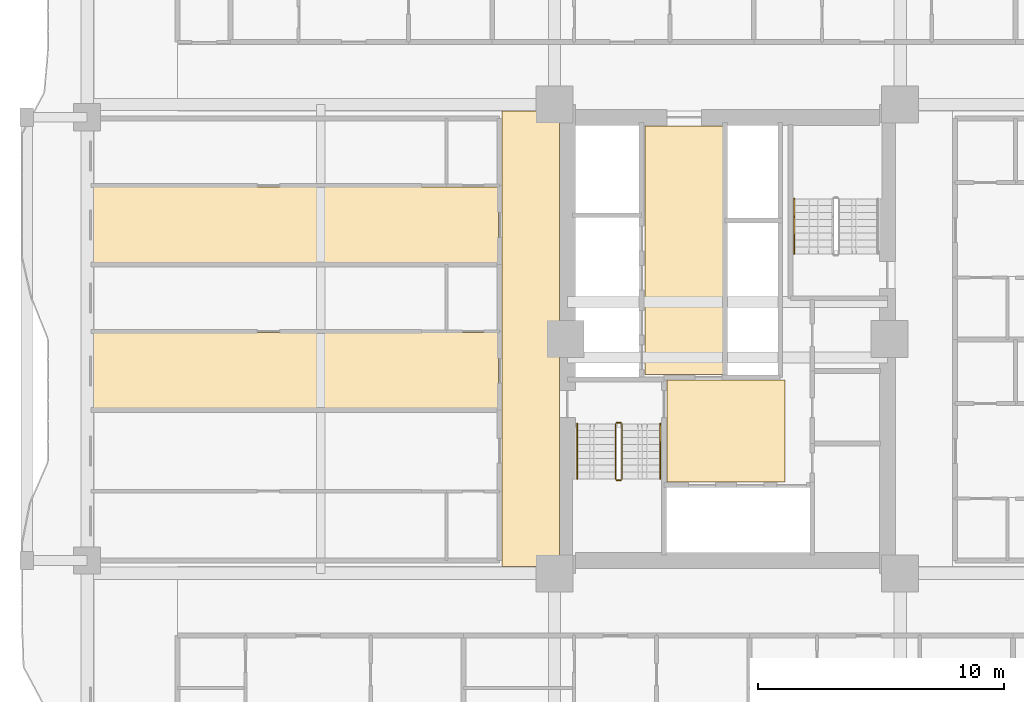
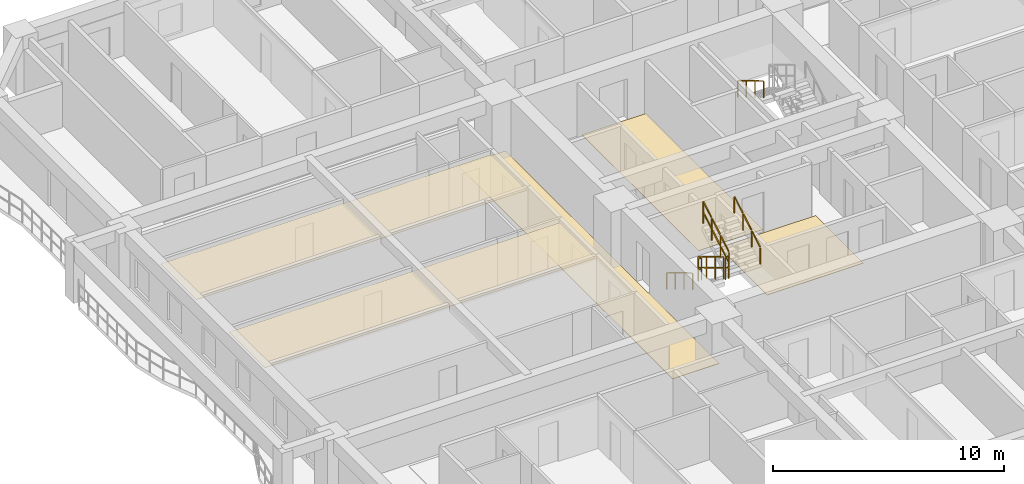
# One storey, part 13 of 16: 7 railings, 5 coverings.
"""IFC4 building model written with IfcOpenShell, lengths in metres."""

from ifc_helpers import new_model, si_unit, direction, frame, origin, origin_2d, place, context, subcontext, project, spatial, polyline, rectangle, outline, extrude, material, layer, layer_set, type_object, element, save


model = new_model("IFC4")

# Units and contexts
model_context = context("Model", 3, precision=1e-05, world=origin(), true_north=direction((0.0, 1.0)))
body_context = subcontext(model_context, "Body", "Model", "MODEL_VIEW")
ifc_project = project(units=[si_unit("LENGTHUNIT", "METRE"), si_unit("AREAUNIT", "SQUARE_METRE"), si_unit("VOLUMEUNIT", "CUBIC_METRE"), si_unit("PLANEANGLEUNIT", "RADIAN"), si_unit("MASSUNIT", "GRAM", prefix="KILO")], contexts=[model_context])

# Site, building, storey
site_placement = place(None, origin())
site = spatial("IfcSite", under=ifc_project, at=site_placement, CompositionType="ELEMENT")
building_placement = place(site_placement, origin())
building = spatial("IfcBuilding", under=site, at=building_placement, Name="Saelheon Loggia Tower", CompositionType="ELEMENT")
storey_placement = place(building_placement, frame((0.0, 0.0, 31.39990234375)))
storey = spatial("IfcBuildingStorey", under=building, at=storey_placement, Name="L09", CompositionType="ELEMENT", Elevation=31.39990234375)

# Coverings
ifc_material_1 = material(Name="Mineral-Fibre Acoustic Ceiling Board", Category="gypsum")
ifc_layer_1 = layer(ifc_material_1, 0.02490234375)
ifc_layer_set_1 = layer_set([ifc_layer_1], Name="Mineral-Fibre Acoustic Ceiling Board")
covering_type_1 = type_object("IfcCoveringType", Name="Cov_Ceiling_Acoustic", PredefinedType="CEILING", material=ifc_layer_set_1)
covering_1_placement = place(storey_placement, frame((0.0, 0.0, 2.53515625)))
element("IfcCovering", 1, at=covering_1_placement, inside=storey, type_object=covering_type_1, Name="L09 Acoustic Suspended Ceiling", PredefinedType="CEILING", context=body_context, shape_type="SweptSolid", body=[
    extrude(outline(polyline([(12.199951171875, 24.153076171875), (28.699951171875, 24.153076171875), (28.699951171875, 27.251708984375), (12.199951171875, 27.251708984375), (12.199951171875, 24.153076171875)])), origin(), (0.0, 0.0, 1.0), 0.02490234375),
])
covering_2_placement = place(storey_placement, frame((0.0, 0.0, 2.53515625)))
element("IfcCovering", 2, at=covering_2_placement, inside=storey, type_object=covering_type_1, Name="L09 Acoustic Suspended Ceiling", PredefinedType="CEILING", context=body_context, shape_type="SweptSolid", body=[
    extrude(outline(polyline([(12.199951171875, 30.076416015625), (28.699951171875, 30.076416015625), (28.699951171875, 33.17529296875), (12.199951171875, 33.17529296875), (12.199951171875, 30.076416015625)])), origin(), (0.0, 0.0, 1.0), 0.02490234375),
])
ifc_material_2 = material(Name="Vitrified Porcelain Floor Tile", Category="ceramic")
ifc_layer_2 = layer(ifc_material_2, 0.02001953125)
ifc_layer_set_2 = layer_set([ifc_layer_2], Name="Vitrified Porcelain Floor Tile")
covering_type_2 = type_object("IfcCoveringType", Name="Cov_Floor_Porcelain", PredefinedType="FLOORING", material=ifc_layer_set_2)
covering_3_placement = place(storey_placement, origin())
element("IfcCovering", 3, at=covering_3_placement, inside=storey, type_object=covering_type_2, Name="L09 Corridor Porcelain Flooring", PredefinedType="FLOORING", context=body_context, shape_type="SweptSolid", body=[
    extrude(outline(polyline([(35.550048828125, 21.179931640625), (40.35009765625, 21.179931640625), (40.35009765625, 25.320068359375), (35.550048828125, 25.320068359375), (35.550048828125, 21.179931640625)])), origin(), (0.0, 0.0, 1.0), 0.02001953125),
])
covering_4_placement = place(storey_placement, origin())
element("IfcCovering", 4, at=covering_4_placement, inside=storey, type_object=covering_type_2, Name="L09 Corridor Porcelain Flooring", PredefinedType="FLOORING", context=body_context, shape_type="SweptSolid", body=[
    extrude(outline(polyline([(34.64990234375, 25.550048828125), (37.85009765625, 25.550048828125), (37.85009765625, 35.64990234375), (34.64990234375, 35.64990234375), (34.64990234375, 25.550048828125)])), origin(), (0.0, 0.0, 1.0), 0.02001953125),
])
covering_5_placement = place(storey_placement, origin())
element("IfcCovering", 5, at=covering_5_placement, inside=storey, type_object=covering_type_2, Name="L09 Corridor Porcelain Flooring", PredefinedType="FLOORING", context=body_context, shape_type="SweptSolid", body=[
    extrude(outline(polyline([(28.85009765625, 17.75), (31.179931640625, 17.75), (31.179931640625, 36.25), (28.85009765625, 36.25), (28.85009765625, 17.75)])), origin(), (0.0, 0.0, 1.0), 0.02001953125),
])

# Railings
ifc_material_3 = material(Name="Galvanised Steel S275 Stairwell Guardrail", Category="steel")
railing_type_1 = type_object("IfcRailingType", Name="Guard_StairWell_RL_STG", PredefinedType="GUARDRAIL", material=ifc_material_3)
railing_1_placement = place(storey_placement, frame((33.4599609375, 23.550048828125, 0.166748046875)))
element("IfcRailing", 6, at=railing_1_placement, inside=storey, type_object=railing_type_1, Name="L09 ST1 stair guard 1", PredefinedType="GUARDRAIL", context=body_context, shape_type="SweptSolid", body=[
    extrude(rectangle(XDim=0.048095703125, YDim=0.048095703125, at=origin_2d()), frame((0.0, -0.028564453125, 1.19287109375), z_axis=(0.0, -0.859305625298, 0.511462454469), x_axis=(1.0, 0.0, 0.0)), (0.0, 0.0, 1.0), 0.802490234375),
    extrude(rectangle(XDim=0.048095703125, YDim=0.048095703125, at=origin_2d()), frame((0.0, -0.028564453125, 0.616943359375), z_axis=(0.0, -0.859305625298, 0.511462454469), x_axis=(1.0, 0.0, 0.0)), (0.0, 0.0, 1.0), 0.802490234375),
    extrude(rectangle(XDim=0.048095703125, YDim=0.048095703125, at=origin_2d()), frame((0.0, -0.775146484375, 1.63720703125), z_axis=(0.0, -0.859305625298, 0.511462454469), x_axis=(1.0, 0.0, 0.0)), (0.0, 0.0, 1.0), 0.802490234375),
    extrude(rectangle(XDim=0.048095703125, YDim=0.048095703125, at=origin_2d()), frame((0.0, -0.775146484375, 1.061279296875), z_axis=(0.0, -0.859305625298, 0.511462454469), x_axis=(1.0, 0.0, 0.0)), (0.0, 0.0, 1.0), 0.802490234375),
    extrude(rectangle(XDim=0.048095703125, YDim=0.048095703125, at=origin_2d()), frame((0.0, -1.52197265625, 2.081787109375), z_axis=(0.0, -0.859305625298, 0.511462454469), x_axis=(1.0, 0.0, 0.0)), (0.0, 0.0, 1.0), 0.802490234375),
    extrude(rectangle(XDim=0.048095703125, YDim=0.048095703125, at=origin_2d()), frame((0.0, -1.52197265625, 1.505859375), z_axis=(0.0, -0.859305625298, 0.511462454469), x_axis=(1.0, 0.0, 0.0)), (0.0, 0.0, 1.0), 0.802490234375),
    extrude(rectangle(XDim=0.0419921875, YDim=0.0419921875, at=origin_2d()), origin(), (0.0, 0.0, 1.0), 1.14794921875),
    extrude(rectangle(XDim=0.0419921875, YDim=0.0419921875, at=origin_2d()), frame((0.0, -0.74658203125, 0.4443359375)), (0.0, 0.0, 1.0), 1.14794921875),
    extrude(rectangle(XDim=0.0419921875, YDim=0.0419921875, at=origin_2d()), frame((0.0, -1.493408203125, 0.888916015625)), (0.0, 0.0, 1.0), 1.14794921875),
    extrude(rectangle(XDim=0.0419921875, YDim=0.0419921875, at=origin_2d()), frame((0.0, -2.239990234375, 1.333251953125)), (0.0, 0.0, 1.0), 1.14794921875),
])
railing_2_placement = place(storey_placement, frame((33.510009765625, 21.260009765625, 1.5)))
element("IfcRailing", 7, at=railing_2_placement, inside=storey, type_object=railing_type_1, Name="L09 ST1 stair guard 2", PredefinedType="GUARDRAIL", context=body_context, shape_type="SweptSolid", body=[
    extrude(rectangle(XDim=0.048095703125, YDim=0.048095703125, at=origin_2d()), frame((0.033203125, 0.0, 1.17578125), z_axis=(1.0, 0.0, 0.0), x_axis=(0.0, 1.0, 0.0)), (0.0, 0.0, 1.0), 0.093505859375),
    extrude(rectangle(XDim=0.048095703125, YDim=0.048095703125, at=origin_2d()), frame((0.033203125, 0.0, 0.60009765625), z_axis=(1.0, 0.0, 0.0), x_axis=(0.0, 1.0, 0.0)), (0.0, 0.0, 1.0), 0.093505859375),
    extrude(rectangle(XDim=0.0419921875, YDim=0.0419921875, at=origin_2d()), origin(), (0.0, 0.0, 1.0), 1.14794921875),
    extrude(rectangle(XDim=0.0419921875, YDim=0.0419921875, at=origin_2d()), frame((0.159912109375, 0.0, 0.0)), (0.0, 0.0, 1.0), 1.14794921875),
])
railing_3_placement = place(storey_placement, frame((33.719970703125, 21.31005859375, 1.666748046875)))
element("IfcRailing", 8, at=railing_3_placement, inside=storey, type_object=railing_type_1, Name="L09 ST1 stair guard 3", PredefinedType="GUARDRAIL", context=body_context, shape_type="SweptSolid", body=[
    extrude(rectangle(XDim=0.048095703125, YDim=0.048095703125, at=origin_2d()), frame((0.0, 0.028564453125, 1.19287109375), z_axis=(0.0, 0.859305625298, 0.511462454469), x_axis=(-1.0, 0.0, 0.0)), (0.0, 0.0, 1.0), 0.802490234375),
    extrude(rectangle(XDim=0.048095703125, YDim=0.048095703125, at=origin_2d()), frame((0.0, 0.028564453125, 0.616943359375), z_axis=(0.0, 0.859305625298, 0.511462454469), x_axis=(-1.0, 0.0, 0.0)), (0.0, 0.0, 1.0), 0.802490234375),
    extrude(rectangle(XDim=0.048095703125, YDim=0.048095703125, at=origin_2d()), frame((0.0, 0.775146484375, 1.63720703125), z_axis=(0.0, 0.859305625298, 0.511462454469), x_axis=(-1.0, 0.0, 0.0)), (0.0, 0.0, 1.0), 0.802490234375),
    extrude(rectangle(XDim=0.048095703125, YDim=0.048095703125, at=origin_2d()), frame((0.0, 0.775146484375, 1.061279296875), z_axis=(0.0, 0.859305625298, 0.511462454469), x_axis=(-1.0, 0.0, 0.0)), (0.0, 0.0, 1.0), 0.802490234375),
    extrude(rectangle(XDim=0.048095703125, YDim=0.048095703125, at=origin_2d()), frame((0.0, 1.52197265625, 2.081787109375), z_axis=(0.0, 0.859305625298, 0.511462454469), x_axis=(-1.0, 0.0, 0.0)), (0.0, 0.0, 1.0), 0.802490234375),
    extrude(rectangle(XDim=0.048095703125, YDim=0.048095703125, at=origin_2d()), frame((0.0, 1.52197265625, 1.505859375), z_axis=(0.0, 0.859305625298, 0.511462454469), x_axis=(-1.0, 0.0, 0.0)), (0.0, 0.0, 1.0), 0.802490234375),
    extrude(rectangle(XDim=0.0419921875, YDim=0.0419921875, at=origin_2d()), origin(), (0.0, 0.0, 1.0), 1.14794921875),
    extrude(rectangle(XDim=0.0419921875, YDim=0.0419921875, at=origin_2d()), frame((0.0, 0.74658203125, 0.4443359375)), (0.0, 0.0, 1.0), 1.14794921875),
    extrude(rectangle(XDim=0.0419921875, YDim=0.0419921875, at=origin_2d()), frame((0.0, 1.493408203125, 0.888916015625)), (0.0, 0.0, 1.0), 1.14794921875),
    extrude(rectangle(XDim=0.0419921875, YDim=0.0419921875, at=origin_2d()), frame((0.0, 2.239990234375, 1.333251953125)), (0.0, 0.0, 1.0), 1.14794921875),
])
railing_4_placement = place(storey_placement, frame((33.510009765625, 23.60009765625, 0.0)))
element("IfcRailing", 9, at=railing_4_placement, inside=storey, type_object=railing_type_1, Name="L09 ST1 stair guard 4", PredefinedType="GUARDRAIL", context=body_context, shape_type="SweptSolid", body=[
    extrude(rectangle(XDim=0.048095703125, YDim=0.048095703125, at=origin_2d()), frame((0.033203125, 0.0, 1.17578125), z_axis=(1.0, 0.0, 0.0), x_axis=(0.0, 1.0, 0.0)), (0.0, 0.0, 1.0), 0.093505859375),
    extrude(rectangle(XDim=0.048095703125, YDim=0.048095703125, at=origin_2d()), frame((0.033203125, 0.0, 0.60009765625), z_axis=(1.0, 0.0, 0.0), x_axis=(0.0, 1.0, 0.0)), (0.0, 0.0, 1.0), 0.093505859375),
    extrude(rectangle(XDim=0.0419921875, YDim=0.0419921875, at=origin_2d()), origin(), (0.0, 0.0, 1.0), 1.14794921875),
    extrude(rectangle(XDim=0.0419921875, YDim=0.0419921875, at=origin_2d()), frame((0.159912109375, 0.0, 0.0)), (0.0, 0.0, 1.0), 1.14794921875),
])
ifc_material_4 = material(Name="Stainless Steel 304 Tubular Handrail", Category="steel")
railing_type_2 = type_object("IfcRailingType", Name="Handrail_Stair_RL_HR1", PredefinedType="HANDRAIL", material=ifc_material_4)
railing_5_placement = place(storey_placement, frame((31.89990234375, 23.550048828125, 0.166748046875)))
element("IfcRailing", 10, at=railing_5_placement, inside=storey, type_object=railing_type_2, Name="L09 ST1 stair handrail 1", PredefinedType="HANDRAIL", context=body_context, shape_type="SweptSolid", body=[
    extrude(rectangle(XDim=0.048095703125, YDim=0.048095703125, at=origin_2d()), frame((0.0, -0.028564453125, 0.892822265625), z_axis=(0.0, -0.859305625298, 0.511462454469), x_axis=(1.0, 0.0, 0.0)), (0.0, 0.0, 1.0), 0.802490234375),
    extrude(rectangle(XDim=0.048095703125, YDim=0.048095703125, at=origin_2d()), frame((0.0, -0.775146484375, 1.337158203125), z_axis=(0.0, -0.859305625298, 0.511462454469), x_axis=(1.0, 0.0, 0.0)), (0.0, 0.0, 1.0), 0.802490234375),
    extrude(rectangle(XDim=0.048095703125, YDim=0.048095703125, at=origin_2d()), frame((0.0, -1.52197265625, 1.78173828125), z_axis=(0.0, -0.859305625298, 0.511462454469), x_axis=(1.0, 0.0, 0.0)), (0.0, 0.0, 1.0), 0.802490234375),
    extrude(rectangle(XDim=0.0419921875, YDim=0.0419921875, at=origin_2d()), origin(), (0.0, 0.0, 1.0), 0.847900390625),
    extrude(rectangle(XDim=0.0419921875, YDim=0.0419921875, at=origin_2d()), frame((0.0, -0.74658203125, 0.4443359375)), (0.0, 0.0, 1.0), 0.847900390625),
    extrude(rectangle(XDim=0.0419921875, YDim=0.0419921875, at=origin_2d()), frame((0.0, -1.493408203125, 0.888916015625)), (0.0, 0.0, 1.0), 0.847900390625),
    extrude(rectangle(XDim=0.0419921875, YDim=0.0419921875, at=origin_2d()), frame((0.0, -2.239990234375, 1.333251953125)), (0.0, 0.0, 1.0), 0.847900390625),
])
railing_6_placement = place(storey_placement, frame((35.280029296875, 21.31005859375, 1.666748046875)))
element("IfcRailing", 11, at=railing_6_placement, inside=storey, type_object=railing_type_2, Name="L09 ST1 stair handrail 2", PredefinedType="HANDRAIL", context=body_context, shape_type="SweptSolid", body=[
    extrude(rectangle(XDim=0.048095703125, YDim=0.048095703125, at=origin_2d()), frame((0.0, 0.028564453125, 0.892822265625), z_axis=(0.0, 0.859305625298, 0.511462454469), x_axis=(-1.0, 0.0, 0.0)), (0.0, 0.0, 1.0), 0.802490234375),
    extrude(rectangle(XDim=0.048095703125, YDim=0.048095703125, at=origin_2d()), frame((0.0, 0.775146484375, 1.337158203125), z_axis=(0.0, 0.859305625298, 0.511462454469), x_axis=(-1.0, 0.0, 0.0)), (0.0, 0.0, 1.0), 0.802490234375),
    extrude(rectangle(XDim=0.048095703125, YDim=0.048095703125, at=origin_2d()), frame((0.0, 1.52197265625, 1.78173828125), z_axis=(0.0, 0.859305625298, 0.511462454469), x_axis=(-1.0, 0.0, 0.0)), (0.0, 0.0, 1.0), 0.802490234375),
    extrude(rectangle(XDim=0.0419921875, YDim=0.0419921875, at=origin_2d()), origin(), (0.0, 0.0, 1.0), 0.847900390625),
    extrude(rectangle(XDim=0.0419921875, YDim=0.0419921875, at=origin_2d()), frame((0.0, 0.74658203125, 0.4443359375)), (0.0, 0.0, 1.0), 0.847900390625),
    extrude(rectangle(XDim=0.0419921875, YDim=0.0419921875, at=origin_2d()), frame((0.0, 1.493408203125, 0.888916015625)), (0.0, 0.0, 1.0), 0.847900390625),
    extrude(rectangle(XDim=0.0419921875, YDim=0.0419921875, at=origin_2d()), frame((0.0, 2.239990234375, 1.333251953125)), (0.0, 0.0, 1.0), 0.847900390625),
])
railing_7_placement = place(storey_placement, frame((40.719970703125, 32.68994140625, 1.666748046875)))
element("IfcRailing", 12, at=railing_7_placement, inside=storey, type_object=railing_type_2, Name="L09 ST2 stair handrail 2", PredefinedType="HANDRAIL", context=body_context, shape_type="SweptSolid", body=[
    extrude(rectangle(XDim=0.048095703125, YDim=0.048095703125, at=origin_2d()), frame((0.0, -0.028564453125, 0.892822265625), z_axis=(0.0, -0.859305625298, 0.511462454469), x_axis=(1.0, 0.0, 0.0)), (0.0, 0.0, 1.0), 0.802490234375),
    extrude(rectangle(XDim=0.048095703125, YDim=0.048095703125, at=origin_2d()), frame((0.0, -0.775146484375, 1.337158203125), z_axis=(0.0, -0.859305625298, 0.511462454469), x_axis=(1.0, 0.0, 0.0)), (0.0, 0.0, 1.0), 0.802490234375),
    extrude(rectangle(XDim=0.048095703125, YDim=0.048095703125, at=origin_2d()), frame((0.0, -1.52197265625, 1.78173828125), z_axis=(0.0, -0.859305625298, 0.511462454469), x_axis=(1.0, 0.0, 0.0)), (0.0, 0.0, 1.0), 0.802490234375),
    extrude(rectangle(XDim=0.0419921875, YDim=0.0419921875, at=origin_2d()), origin(), (0.0, 0.0, 1.0), 0.847900390625),
    extrude(rectangle(XDim=0.0419921875, YDim=0.0419921875, at=origin_2d()), frame((0.0, -0.74658203125, 0.4443359375)), (0.0, 0.0, 1.0), 0.847900390625),
    extrude(rectangle(XDim=0.0419921875, YDim=0.0419921875, at=origin_2d()), frame((0.0, -1.493408203125, 0.888916015625)), (0.0, 0.0, 1.0), 0.847900390625),
    extrude(rectangle(XDim=0.0419921875, YDim=0.0419921875, at=origin_2d()), frame((0.0, -2.239990234375, 1.333251953125)), (0.0, 0.0, 1.0), 0.847900390625),
])

save(model, "model.ifc")
